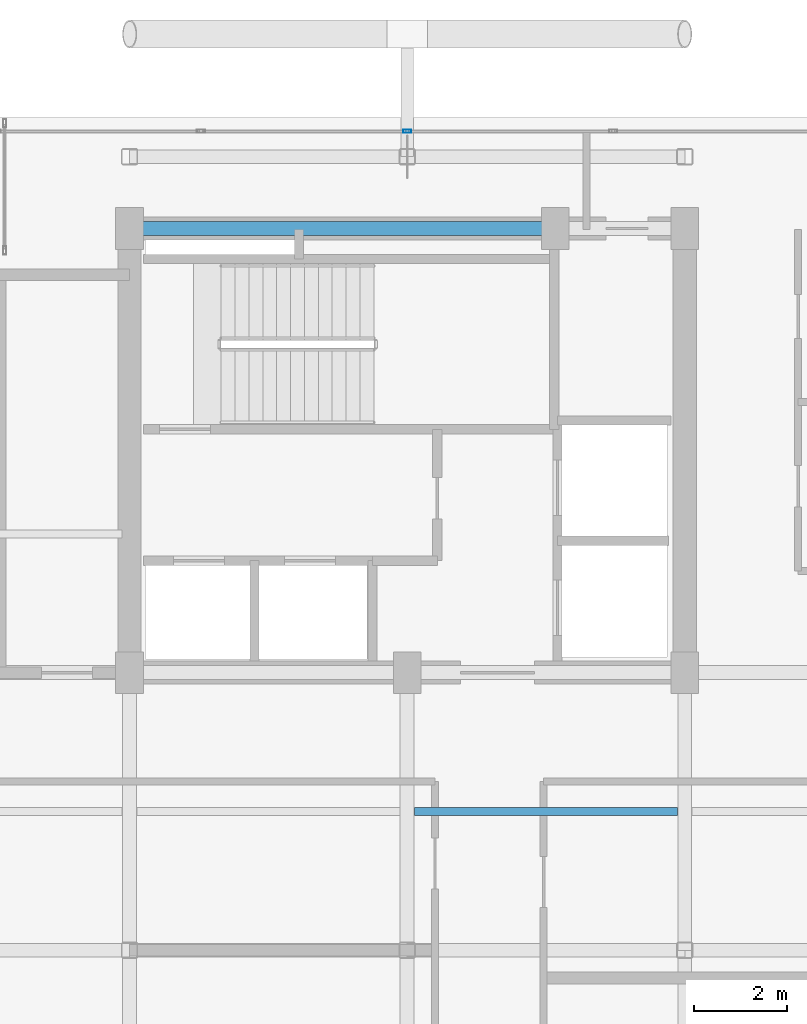
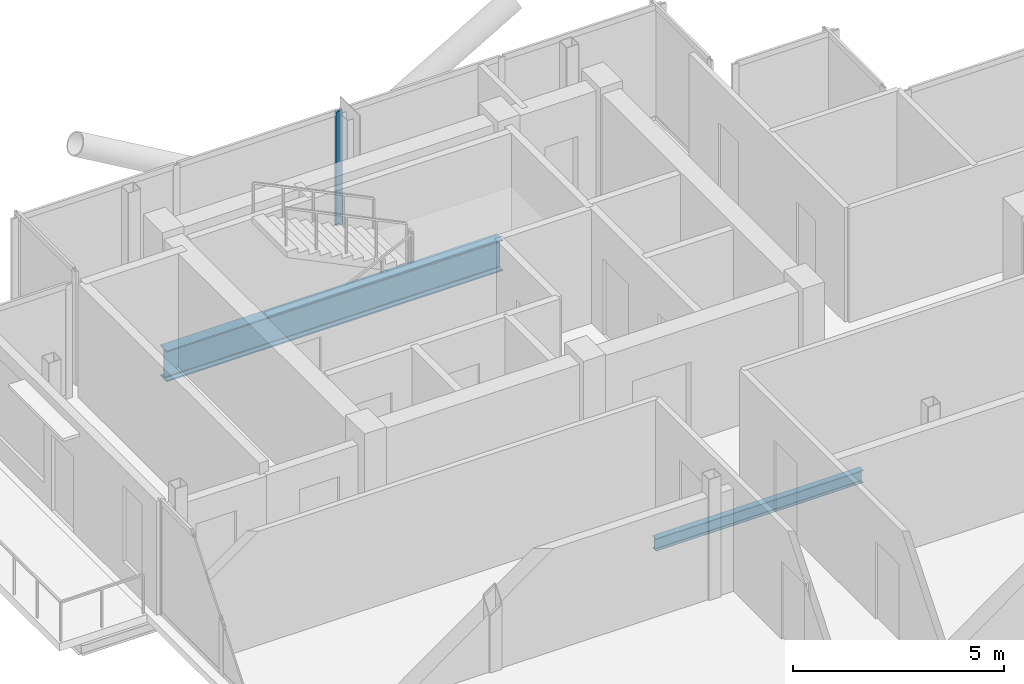
# One storey, part 8 of 18: 2 beams, 1 member, 1 element without a shape of its own.
"""IFC4 building model written with IfcOpenShell, lengths in metres."""

from ifc_helpers import new_model, si_unit, direction, frame, origin, origin_2d, place, context, subcontext, project, spatial, hollow_rectangle, i_section, extrude, material, layer, layer_set, material_profile, profile_set, type_object, element, aggregate, save


model = new_model("IFC4")

# Units and contexts
model_context = context("Model", 3, precision=1e-05, world=origin(), true_north=direction((0.0, 1.0)))
body_context = subcontext(model_context, "Body", "Model", "MODEL_VIEW")
ifc_project = project(units=[si_unit("LENGTHUNIT", "METRE"), si_unit("AREAUNIT", "SQUARE_METRE"), si_unit("VOLUMEUNIT", "CUBIC_METRE"), si_unit("PLANEANGLEUNIT", "RADIAN"), si_unit("MASSUNIT", "GRAM", prefix="KILO"), si_unit("THERMODYNAMICTEMPERATUREUNIT", "KELVIN"), si_unit("POWERUNIT", "WATT")], contexts=[model_context])

# Site, building, storey
site_placement = place(None, origin())
site = spatial("IfcSite", under=ifc_project, at=site_placement, CompositionType="ELEMENT")
building_placement = place(site_placement, origin())
building = spatial("IfcBuilding", under=site, at=building_placement, Name="Svarakhadi Broadcast Tower", CompositionType="ELEMENT")
storey_placement = place(building_placement, frame((0.0, 0.0, 288.699951171875)))
storey = spatial("IfcBuildingStorey", under=building, at=storey_placement, Name="L73", CompositionType="ELEMENT", Elevation=288.699951171875)

# Beam
ifc_material_1 = material(Name="Steel S355J2 (IS 2062 E350C)", Category="steel")
ifc_material_profile_1 = material_profile(ifc_material_1, i_section(OverallWidth=0.169921875, OverallDepth=0.360107421875, WebThickness=0.008056640625, FlangeThickness=0.0126953125, FilletRadius=0.01806640625, at=origin_2d()), Name="NPB 360x170x57")
ifc_profile_set_1 = profile_set([ifc_material_profile_1], Name="Steel S355J2 (IS 2062 E350C)")
beam_type_1 = type_object("IfcBeamType", Name="Beam_NPB360", PredefinedType="BEAM", material=ifc_profile_set_1)
beam_1_placement = place(storey_placement, frame((12.159912109375, 15.0, -0.3798828125), z_axis=(1.0, 0.0, 0.0), x_axis=(0.0, 1.0, 0.0)))
element("IfcBeam", 1, at=beam_1_placement, inside=storey, type_object=beam_type_1, Name="L73 Secondary Composite Beam SB009", PredefinedType="BEAM", context=body_context, shape_type="SweptSolid", body=[
    extrude(i_section(OverallWidth=0.169921875, OverallDepth=0.360107421875, WebThickness=0.008056640625, FlangeThickness=0.0126953125, FilletRadius=0.01806640625, at=origin_2d()), origin(), (0.0, 0.0, 1.0), 5.68017578125),
])

# Curtain wall, member
ifc_material_2 = material(Name="Anodised Bronze Aluminium AA 6063-T6", Category="aluminium")
ifc_layer = layer(ifc_material_2, 0.179931640625)
ifc_layer_set = layer_set([ifc_layer], Name="Anodised Bronze Aluminium AA 6063-T6")
curtain_wall_type = type_object("IfcCurtainWallType", Name="CW_Sys_05", PredefinedType="NOTDEFINED", material=ifc_layer_set)
curtain_wall_placement = place(storey_placement, origin())
curtain_wall = element("IfcCurtainWall", 2, at=curtain_wall_placement, inside=storey, type_object=curtain_wall_type, Name="L73 Unitised Facade Curtain Wall 05", PredefinedType="NOTDEFINED")
ifc_material_profile_2 = material_profile(ifc_material_2, hollow_rectangle(XDim=0.070068359375, YDim=0.179931640625, WallThickness=0.005615234375, at=origin_2d()), Name="ALU MULLION 180x70x6")
ifc_profile_set_2 = profile_set([ifc_material_profile_2], Name="Anodised Bronze Aluminium AA 6063-T6")
member_type = type_object("IfcMemberType", Name="CW_Sys_05_Mul", PredefinedType="MULLION", material=ifc_profile_set_2)
member_placement = place(storey_placement, frame((12.0, 29.699951171875, 0.0), z_axis=(0.0, 0.0, 1.0), x_axis=(0.0, 1.0, 0.0)))
member = element("IfcMember", 3, at=member_placement, type_object=member_type, Name="CW-05 mullion 3", PredefinedType="MULLION", context=body_context, shape_type="SweptSolid", body=[
    extrude(hollow_rectangle(XDim=0.070068359375, YDim=0.179931640625, WallThickness=0.005615234375, at=origin_2d()), origin(), (0.0, 0.0, 1.0), 3.300048828125),
])
aggregate(curtain_wall, [member])

# Beam
ifc_material_3 = material(Name="Steel S460ML (IS 2062 E450BR)", Category="steel")
ifc_material_profile_3 = material_profile(ifc_material_3, i_section(OverallWidth=0.300048828125, OverallDepth=0.89990234375, WebThickness=0.0185546875, FlangeThickness=0.034912109375, FilletRadius=0.030029296875, at=origin_2d()), Name="WPB 900x300x291")
ifc_profile_set_3 = profile_set([ifc_material_profile_3], Name="Steel S460ML (IS 2062 E450BR)")
beam_type_2 = type_object("IfcBeamType", Name="Girder_WPB900", PredefinedType="USERDEFINED", material=ifc_profile_set_3)
beam_2_placement = place(storey_placement, frame((6.0, 27.60009765625, -0.64990234375), z_axis=(1.0, 0.0, 0.0), x_axis=(0.0, 1.0, 0.0)))
element("IfcBeam", 4, at=beam_2_placement, inside=storey, type_object=beam_type_2, Name="L73 Primary E-W Girder G022", ObjectType="GIRDER", PredefinedType="USERDEFINED", context=body_context, shape_type="SweptSolid", body=[
    extrude(i_section(OverallWidth=0.300048828125, OverallDepth=0.89990234375, WebThickness=0.0185546875, FlangeThickness=0.034912109375, FilletRadius=0.030029296875, at=origin_2d()), origin(), (0.0, 0.0, 1.0), 9.199951171875),
])

save(model, "model.ifc")
